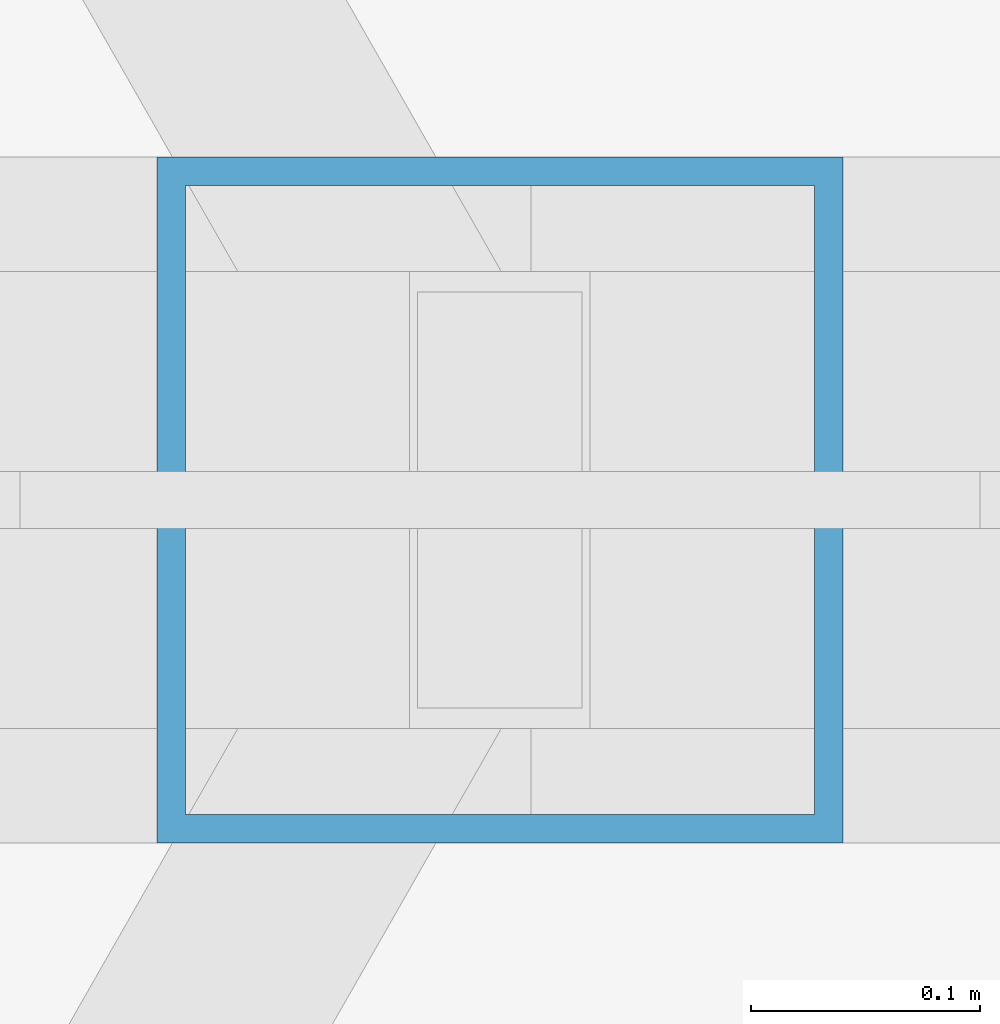
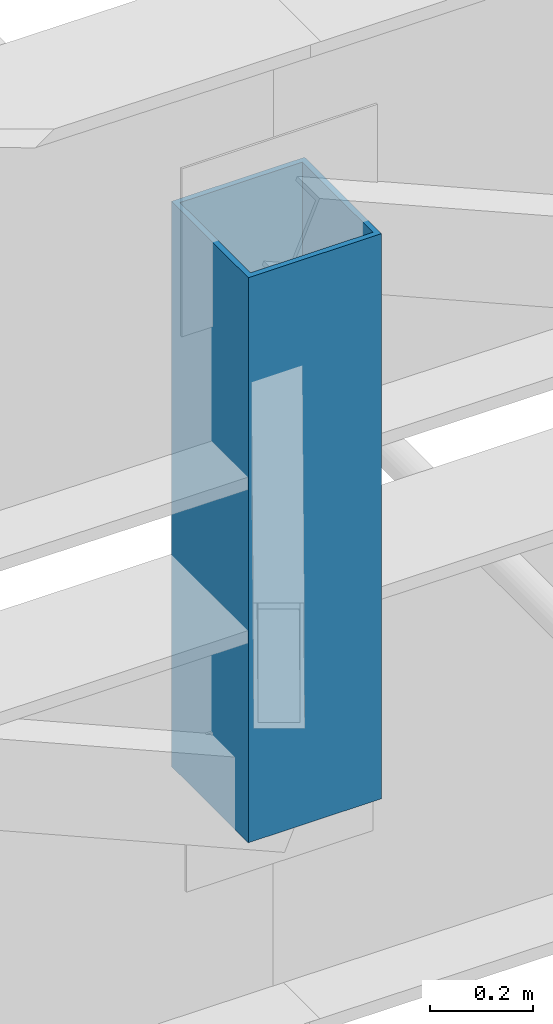
# One storey, part 69 of 184: 1 member.
"""IFC4 building model written with IfcOpenShell, lengths in metres."""

from ifc_helpers import new_model, si_unit, direction, frame, origin, origin_2d, place, context, subcontext, project, spatial, hollow_rectangle, extrude, material, material_profile, profile_set, type_object, element, save


model = new_model("IFC4")

# Units and contexts
model_context = context("Model", 3, precision=1e-05, world=origin(), true_north=direction((0.0, 1.0)))
body_context = subcontext(model_context, "Body", "Model", "MODEL_VIEW")
ifc_project = project(units=[si_unit("LENGTHUNIT", "METRE"), si_unit("AREAUNIT", "SQUARE_METRE"), si_unit("VOLUMEUNIT", "CUBIC_METRE"), si_unit("PLANEANGLEUNIT", "RADIAN"), si_unit("MASSUNIT", "GRAM", prefix="KILO")], contexts=[model_context])

# Site, building, storey
site_placement = place(None, origin())
site = spatial("IfcSite", under=ifc_project, at=site_placement, CompositionType="ELEMENT")
building_placement = place(site_placement, origin())
building = spatial("IfcBuilding", under=site, at=building_placement, Name="Kalgoora Escarpment Arena", CompositionType="ELEMENT")
storey_placement = place(building_placement, frame((0.0, 0.0, 27.60009765625)))
storey = spatial("IfcBuildingStorey", under=building, at=storey_placement, Name="Roof Level", CompositionType="ELEMENT", Elevation=27.60009765625)

# Member
ifc_material = material(Name="Structural steel C450 (450 MPa)", Category="steel")
ifc_material_profile = material_profile(ifc_material, hollow_rectangle(XDim=0.300048828125, YDim=0.300048828125, WallThickness=0.012451171875, at=origin_2d()))
ifc_profile_set = profile_set([ifc_material_profile], Name="Structural steel C450 (450 MPa)")
member_type = type_object("IfcMemberType", Name="MEM-TRUSS-POST", PredefinedType="POST", material=ifc_profile_set)
member_placement = place(storey_placement, frame((108.739990234375, 64.0, -1.60498046875), z_axis=(0.0, 0.0, 1.0), x_axis=(-1.0, 0.0, 0.0)))
element("IfcMember", 1, at=member_placement, inside=storey, type_object=member_type, Name="Radial ROOF TRUSS spine 1 post 10", PredefinedType="POST", context=body_context, shape_type="SweptSolid", body=[
    extrude(hollow_rectangle(XDim=0.300048828125, YDim=0.300048828125, WallThickness=0.012451171875, at=origin_2d()), origin(), (0.0, 0.0, 1.0), 1.344970703125),
])

save(model, "model.ifc")
